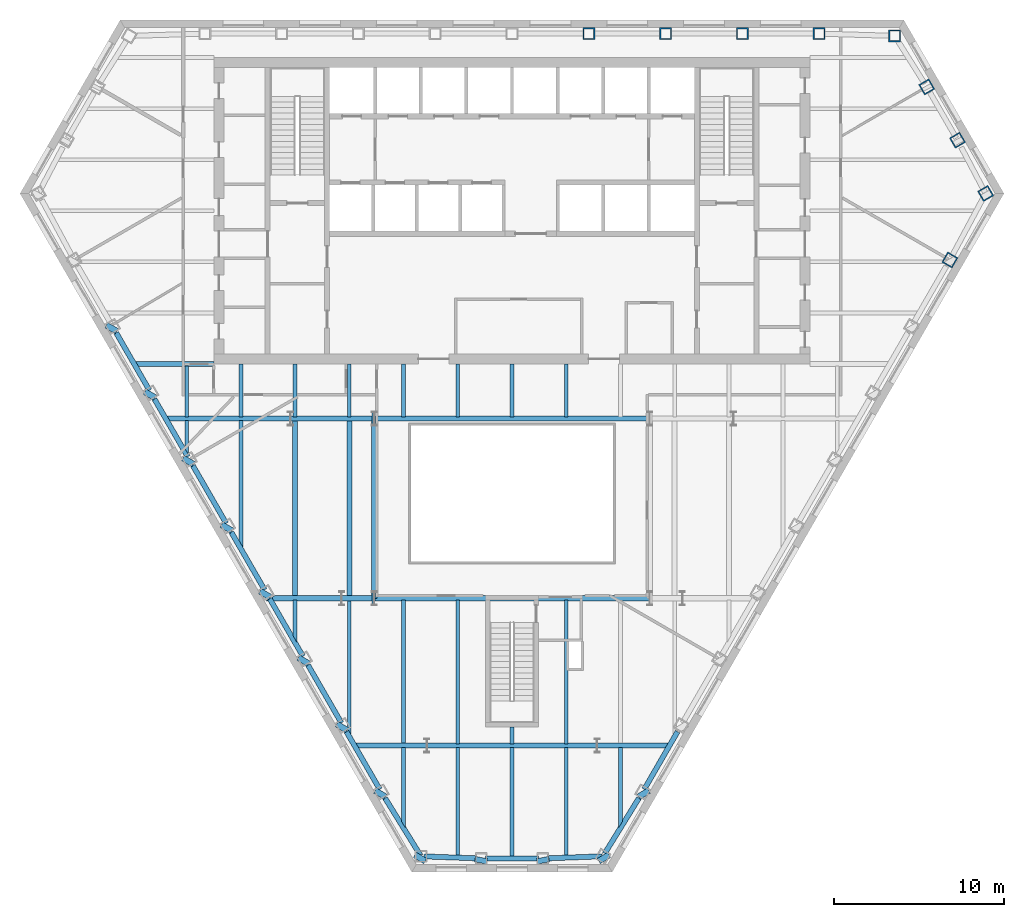
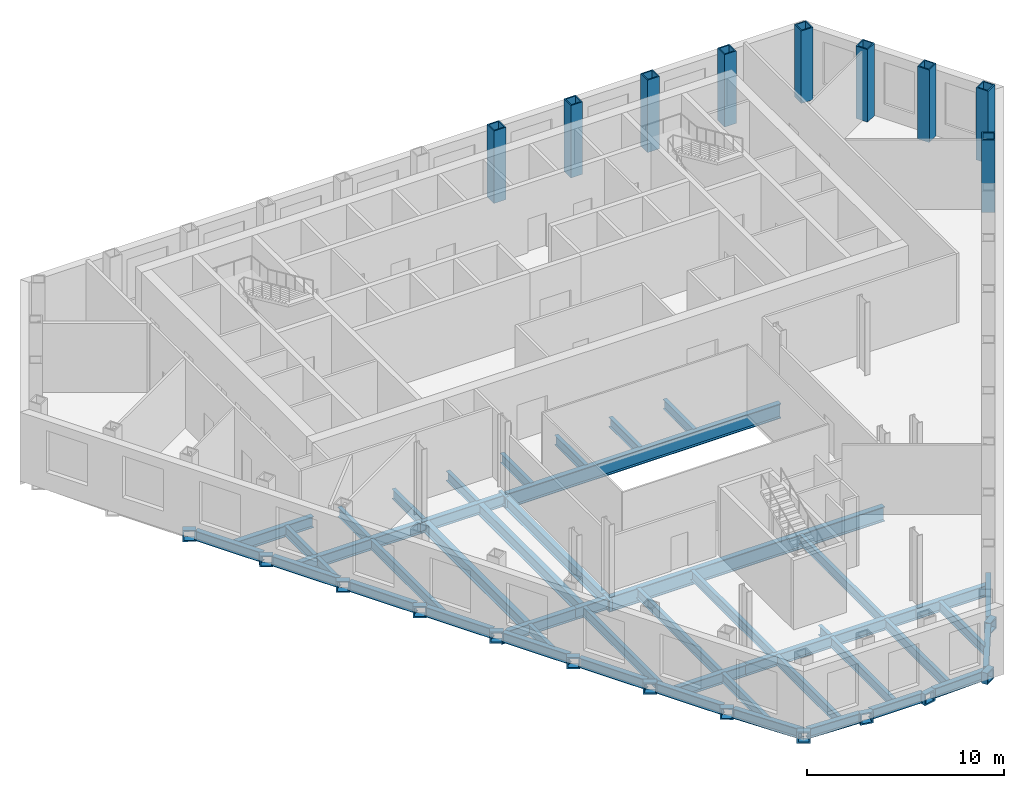
# One storey, part 2 of 11: 62 beams, 9 columns.
"""IFC4 building model written with IfcOpenShell, lengths in metres."""

from ifc_helpers import new_model, si_unit, direction, frame, origin, origin_2d, place, context, subcontext, project, spatial, hollow_rectangle, i_section, extrude, clip, halfspace, material, material_profile, profile_set, type_object, element, save


model = new_model("IFC4")

# Units and contexts
model_context = context("Model", 3, precision=1e-05, world=origin(), true_north=direction((0.0, 1.0)))
body_context = subcontext(model_context, "Body", "Model", "MODEL_VIEW")
ifc_project = project(units=[si_unit("LENGTHUNIT", "METRE"), si_unit("AREAUNIT", "SQUARE_METRE"), si_unit("VOLUMEUNIT", "CUBIC_METRE"), si_unit("PLANEANGLEUNIT", "RADIAN"), si_unit("MASSUNIT", "GRAM", prefix="KILO")], contexts=[model_context])

# Site, building, storey
site_placement = place(None, origin())
site = spatial("IfcSite", under=ifc_project, at=site_placement, CompositionType="ELEMENT")
building_placement = place(site_placement, origin())
building = spatial("IfcBuilding", under=site, at=building_placement, Name="Njiva Tower", CompositionType="ELEMENT")
storey_placement = place(building_placement, frame((0.0, 0.0, 33.3)))
storey = spatial("IfcBuildingStorey", under=building, at=storey_placement, Name="L06", CompositionType="ELEMENT", Elevation=33.3)

# Columns
ifc_material = material(Name="Steel S355 J2", Category="steel")
ifc_material_profile_1 = material_profile(ifc_material, hollow_rectangle(XDim=0.7, YDim=0.7, WallThickness=0.07, at=origin_2d()), Name="BOX 700x700x70")
ifc_profile_set_1 = profile_set([ifc_material_profile_1], Name="Steel S355 J2")
column_type = type_object("IfcColumnType", Name="C5 Perimeter tube column BOX 700x700x70", PredefinedType="COLUMN", material=ifc_profile_set_1)
for number, where, z_axis, x_axis, name in (
    (1, (22.466, 19.267, 0.0), (0.0, 0.0, 1.0), (-1.0, 0.0, 0.0), "Perimeter tube column S02-C01"),
    (2, (18.034, 19.4, 0.0), (0.0, 0.0, 1.0), (-1.0, 0.0, 0.0), "Perimeter tube column S02-C02"),
    (3, (13.526, 19.4, 0.0), (0.0, 0.0, 1.0), (-1.0, 0.0, 0.0), "Perimeter tube column S02-C03"),
    (4, (9.017, 19.4, 0.0), (0.0, 0.0, 1.0), (-1.0, 0.0, 0.0), "Perimeter tube column S02-C04"),
    (5, (4.509, 19.4, 0.0), (0.0, 0.0, 1.0), (-1.0, 0.0, 0.0), "Perimeter tube column S02-C05"),
    (6, (25.707, 6.111, 0.0), (0.0, 0.0, 1.0), (0.5, 0.866025403784, 0.0), "Perimeter tube column S02-C36"),
    (7, (27.808, 10.016, 0.0), (0.0, 0.0, 1.0), (-0.5, 0.866025403784, 0.0), "Perimeter tube column S02-C37"),
    (8, (26.155, 13.144, 0.0), (0.0, 0.0, 1.0), (-0.5, 0.866025403784, 0.0), "Perimeter tube column S02-C38"),
    (9, (24.349, 16.272, 0.0), (0.0, 0.0, 1.0), (-0.5, 0.866025403784, 0.0), "Perimeter tube column S02-C39"),
):
    element("IfcColumn", number, at=place(storey_placement, frame(where, z_axis=z_axis, x_axis=x_axis)), inside=storey, type_object=column_type, Name=name, PredefinedType="COLUMN", context=body_context, shape_type="SweptSolid", body=[
        extrude(hollow_rectangle(XDim=0.7, YDim=0.7, WallThickness=0.07, at=origin_2d()), origin(), (0.0, 0.0, 1.0), 4.5),
    ])

# Beams
ifc_material_profile_2 = material_profile(ifc_material, i_section(OverallWidth=0.3, OverallDepth=0.69, WebThickness=0.0145, FlangeThickness=0.027, at=origin_2d()), Name="HEA 700")
ifc_profile_set_2 = profile_set([ifc_material_profile_2], Name="Steel S355 J2")
beam_type_1 = type_object("IfcBeamType", Name="B12 Long-span floor joist HEA 700", PredefinedType="JOIST", material=ifc_profile_set_2)
for number, where, z_axis, x_axis, name in (
    (10, (-12.733, -3.3, -0.545), (0.0, -1.0, 0.0), (1.0, 0.0, 0.0), "Long-span floor joist S02-B068"),
    (11, (-9.55, -3.3, -0.545), (0.0, -1.0, 0.0), (1.0, 0.0, 0.0), "Long-span floor joist S02-B071"),
):
    element("IfcBeam", number, at=place(storey_placement, frame(where, z_axis=z_axis, x_axis=x_axis)), inside=storey, type_object=beam_type_1, Name=name, PredefinedType="JOIST", context=body_context, shape_type="SweptSolid", body=[
        extrude(i_section(OverallWidth=0.3, OverallDepth=0.69, WebThickness=0.0145, FlangeThickness=0.027, at=origin_2d()), origin(), (0.0, 0.0, 1.0), 10.35),
    ])
ifc_material_profile_3 = material_profile(ifc_material, i_section(OverallWidth=0.22, OverallDepth=0.6, WebThickness=0.012, FlangeThickness=0.019, at=origin_2d()), Name="IPE 600")
ifc_profile_set_3 = profile_set([ifc_material_profile_3], Name="Steel S355 J2")
beam_type_2 = type_object("IfcBeamType", Name="B13 Floor joist IPE 600", PredefinedType="JOIST", material=ifc_profile_set_3)
beam_1_placement = place(storey_placement, frame((-15.917, -3.3, -0.5), z_axis=(0.0, -1.0, 0.0), x_axis=(1.0, 0.0, 0.0)))
element("IfcBeam", 12, at=beam_1_placement, inside=storey, type_object=beam_type_2, Name="Floor joist S02-B065", PredefinedType="JOIST", context=body_context, shape_type="Clipping", body=[
    clip(extrude(i_section(OverallWidth=0.22, OverallDepth=0.6, WebThickness=0.012, FlangeThickness=0.019, at=origin_2d()), origin(), (0.0, 0.0, 1.0), 7.557), halfspace(frame((-0.043, 0.0, 7.2713), z_axis=(-0.866026552831, 0.0, 0.499998009787), x_axis=(0.0, 1.0, 0.0)), False)),
])
beam_2_placement = place(storey_placement, frame((-9.55, -13.85, -0.5), z_axis=(0.0, -1.0, 0.0), x_axis=(1.0, 0.0, 0.0)))
element("IfcBeam", 13, at=beam_2_placement, inside=storey, type_object=beam_type_2, Name="Floor joist S02-B070", PredefinedType="JOIST", context=body_context, shape_type="Clipping", body=[
    clip(extrude(i_section(OverallWidth=0.22, OverallDepth=0.6, WebThickness=0.012, FlangeThickness=0.019, at=origin_2d()), origin(), (0.0, 0.0, 1.0), 8.035), halfspace(frame((-0.0433, 0.0, 7.7487), z_axis=(-0.866026552831, 0.0, 0.499998009787), x_axis=(0.0, 1.0, 0.0)), False)),
])
beam_3_placement = place(storey_placement, frame((-6.367, -13.851, -0.5), z_axis=(0.0, -1.0, 0.0), x_axis=(1.0, 0.0, 0.0)))
element("IfcBeam", 14, at=beam_3_placement, inside=storey, type_object=beam_type_2, Name="Floor joist S02-B074", PredefinedType="JOIST", context=body_context, shape_type="SweptSolid", body=[
    extrude(i_section(OverallWidth=0.22, OverallDepth=0.6, WebThickness=0.012, FlangeThickness=0.019, at=origin_2d()), origin(), (0.0, 0.0, 1.0), 8.449),
])
beam_4_placement = place(storey_placement, frame((-6.367, -22.5, -0.5), z_axis=(0.0, -1.0, 0.0), x_axis=(1.0, 0.0, 0.0)))
element("IfcBeam", 15, at=beam_4_placement, inside=storey, type_object=beam_type_2, Name="Floor joist S02-B073", PredefinedType="JOIST", context=body_context, shape_type="Clipping", body=[
    clip(extrude(i_section(OverallWidth=0.22, OverallDepth=0.6, WebThickness=0.012, FlangeThickness=0.019, at=origin_2d()), origin(), (0.0, 0.0, 1.0), 4.746), halfspace(frame((-0.0422, 0.0, 4.4792), z_axis=(-0.850624900762, 0.0, 0.525773029171), x_axis=(0.0, 1.0, 0.0)), False)),
])
beam_5_placement = place(storey_placement, frame((-3.183, -13.851, -0.5), z_axis=(0.0, -1.0, 0.0), x_axis=(1.0, 0.0, 0.0)))
element("IfcBeam", 16, at=beam_5_placement, inside=storey, type_object=beam_type_2, Name="Floor joist S02-B077", PredefinedType="JOIST", context=body_context, shape_type="SweptSolid", body=[
    extrude(i_section(OverallWidth=0.22, OverallDepth=0.6, WebThickness=0.012, FlangeThickness=0.019, at=origin_2d()), origin(), (0.0, 0.0, 1.0), 8.449),
])
beam_6_placement = place(storey_placement, frame((-3.183, -22.5, -0.5), z_axis=(0.0, -1.0, 0.0), x_axis=(1.0, 0.0, 0.0)))
element("IfcBeam", 17, at=beam_6_placement, inside=storey, type_object=beam_type_2, Name="Floor joist S02-B076", PredefinedType="JOIST", context=body_context, shape_type="SweptSolid", body=[
    extrude(i_section(OverallWidth=0.22, OverallDepth=0.6, WebThickness=0.012, FlangeThickness=0.019, at=origin_2d()), origin(), (0.0, 0.0, 1.0), 6.375),
])
beam_7_placement = place(storey_placement, frame((0.0, -22.5, -0.5), z_axis=(0.0, -1.0, 0.0), x_axis=(1.0, 0.0, 0.0)))
element("IfcBeam", 18, at=beam_7_placement, inside=storey, type_object=beam_type_2, Name="Floor joist S02-B079", PredefinedType="JOIST", context=body_context, shape_type="SweptSolid", body=[
    extrude(i_section(OverallWidth=0.22, OverallDepth=0.6, WebThickness=0.012, FlangeThickness=0.019, at=origin_2d()), origin(), (0.0, 0.0, 1.0), 6.43),
])
beam_8_placement = place(storey_placement, frame((3.183, -13.851, -0.5), z_axis=(0.0, -1.0, 0.0), x_axis=(1.0, 0.0, 0.0)))
element("IfcBeam", 19, at=beam_8_placement, inside=storey, type_object=beam_type_2, Name="Floor joist S02-B083", PredefinedType="JOIST", context=body_context, shape_type="SweptSolid", body=[
    extrude(i_section(OverallWidth=0.22, OverallDepth=0.6, WebThickness=0.012, FlangeThickness=0.019, at=origin_2d()), origin(), (0.0, 0.0, 1.0), 8.449),
])
beam_9_placement = place(storey_placement, frame((3.183, -22.5, -0.5), z_axis=(0.0, -1.0, 0.0), x_axis=(1.0, 0.0, 0.0)))
element("IfcBeam", 20, at=beam_9_placement, inside=storey, type_object=beam_type_2, Name="Floor joist S02-B082", PredefinedType="JOIST", context=body_context, shape_type="SweptSolid", body=[
    extrude(i_section(OverallWidth=0.22, OverallDepth=0.6, WebThickness=0.012, FlangeThickness=0.019, at=origin_2d()), origin(), (0.0, 0.0, 1.0), 6.375),
])
beam_10_placement = place(storey_placement, frame((6.367, -22.5, -0.5), z_axis=(0.0, -1.0, 0.0), x_axis=(1.0, 0.0, 0.0)))
element("IfcBeam", 21, at=beam_10_placement, inside=storey, type_object=beam_type_2, Name="Floor joist S02-B085", PredefinedType="JOIST", context=body_context, shape_type="Clipping", body=[
    clip(extrude(i_section(OverallWidth=0.22, OverallDepth=0.6, WebThickness=0.012, FlangeThickness=0.019, at=origin_2d()), origin(), (0.0, 0.0, 1.0), 4.746), halfspace(frame((0.0422, 0.0, 4.4792), z_axis=(0.850624900762, 0.0, 0.525773029171), x_axis=(0.0, 1.0, 0.0)), False)),
])
ifc_material_profile_4 = material_profile(ifc_material, i_section(OverallWidth=0.22, OverallDepth=0.6, WebThickness=0.012, FlangeThickness=0.019, at=origin_2d()), Name="IPE 600")
ifc_profile_set_4 = profile_set([ifc_material_profile_4], Name="Steel S355 J2")
beam_type_3 = type_object("IfcBeamType", Name="B14 Short-span floor joist IPE 600", PredefinedType="JOIST", material=ifc_profile_set_4)
beam_11_placement = place(storey_placement, frame((-19.1, -0.1, -0.5), z_axis=(0.0, -1.0, 0.0), x_axis=(1.0, 0.0, 0.0)))
element("IfcBeam", 22, at=beam_11_placement, inside=storey, type_object=beam_type_3, Name="Short-span floor joist S02-B064", PredefinedType="JOIST", context=body_context, shape_type="SweptSolid", body=[
    extrude(i_section(OverallWidth=0.22, OverallDepth=0.6, WebThickness=0.012, FlangeThickness=0.019, at=origin_2d()), origin(), (0.0, 0.0, 1.0), 3.0),
])
beam_12_placement = place(storey_placement, frame((-19.1, -3.3, -0.5), z_axis=(0.0, -1.0, 0.0), x_axis=(1.0, 0.0, 0.0)))
element("IfcBeam", 23, at=beam_12_placement, inside=storey, type_object=beam_type_3, Name="Short-span floor joist S02-B063", PredefinedType="JOIST", context=body_context, shape_type="Clipping", body=[
    clip(extrude(i_section(OverallWidth=0.22, OverallDepth=0.6, WebThickness=0.012, FlangeThickness=0.019, at=origin_2d()), origin(), (0.0, 0.0, 1.0), 2.044), halfspace(frame((-0.0433, 0.0, 1.7576), z_axis=(-0.866026552831, 0.0, 0.499998009787), x_axis=(0.0, 1.0, 0.0)), False)),
])
for number, where, z_axis, x_axis, name in (
    (24, (-15.917, -0.005, -0.5), (0.0, -1.0, 0.0), (1.0, 0.0, 0.0), "Short-span floor joist S02-B066"),
    (25, (-12.733, -0.005, -0.5), (0.0, -1.0, 0.0), (1.0, 0.0, 0.0), "Short-span floor joist S02-B069"),
):
    element("IfcBeam", number, at=place(storey_placement, frame(where, z_axis=z_axis, x_axis=x_axis)), inside=storey, type_object=beam_type_3, Name=name, PredefinedType="JOIST", context=body_context, shape_type="SweptSolid", body=[
        extrude(i_section(OverallWidth=0.22, OverallDepth=0.6, WebThickness=0.012, FlangeThickness=0.019, at=origin_2d()), origin(), (0.0, 0.0, 1.0), 3.095),
    ])
beam_13_placement = place(storey_placement, frame((-12.733, -13.85, -0.5), z_axis=(0.0, -1.0, 0.0), x_axis=(1.0, 0.0, 0.0)))
element("IfcBeam", 26, at=beam_13_placement, inside=storey, type_object=beam_type_3, Name="Short-span floor joist S02-B067", PredefinedType="JOIST", context=body_context, shape_type="Clipping", body=[
    clip(extrude(i_section(OverallWidth=0.22, OverallDepth=0.6, WebThickness=0.012, FlangeThickness=0.019, at=origin_2d()), origin(), (0.0, 0.0, 1.0), 2.521), halfspace(frame((-0.0436, 0.0, 2.235), z_axis=(-0.866026552831, 0.0, 0.499998009787), x_axis=(0.0, 1.0, 0.0)), False)),
])
beam_14_placement = place(storey_placement, frame((-9.55, -0.005, -0.5), z_axis=(0.0, -1.0, 0.0), x_axis=(1.0, 0.0, 0.0)))
element("IfcBeam", 27, at=beam_14_placement, inside=storey, type_object=beam_type_3, Name="Short-span floor joist S02-B072", PredefinedType="JOIST", context=body_context, shape_type="SweptSolid", body=[
    extrude(i_section(OverallWidth=0.22, OverallDepth=0.6, WebThickness=0.012, FlangeThickness=0.019, at=origin_2d()), origin(), (0.0, 0.0, 1.0), 3.095),
])
for number, where, z_axis, x_axis, name in (
    (28, (-6.367, -0.005, -0.5), (0.0, -1.0, 0.0), (1.0, 0.0, 0.0), "Short-span floor joist S02-B075"),
    (29, (-3.183, -0.005, -0.5), (0.0, -1.0, 0.0), (1.0, 0.0, 0.0), "Short-span floor joist S02-B078"),
    (30, (0.0, -0.005, -0.5), (0.0, -1.0, 0.0), (1.0, 0.0, 0.0), "Short-span floor joist S02-B081"),
):
    element("IfcBeam", number, at=place(storey_placement, frame(where, z_axis=z_axis, x_axis=x_axis)), inside=storey, type_object=beam_type_3, Name=name, PredefinedType="JOIST", context=body_context, shape_type="SweptSolid", body=[
        extrude(i_section(OverallWidth=0.22, OverallDepth=0.6, WebThickness=0.012, FlangeThickness=0.019, at=origin_2d()), origin(), (0.0, 0.0, 1.0), 3.094),
    ])
beam_15_placement = place(storey_placement, frame((0.0, -21.3, -0.5), z_axis=(0.0, -1.0, 0.0), x_axis=(1.0, 0.0, 0.0)))
element("IfcBeam", 31, at=beam_15_placement, inside=storey, type_object=beam_type_3, Name="Short-span floor joist S02-B080", PredefinedType="JOIST", context=body_context, shape_type="SweptSolid", body=[
    extrude(i_section(OverallWidth=0.22, OverallDepth=0.6, WebThickness=0.012, FlangeThickness=0.019, at=origin_2d()), origin(), (0.0, 0.0, 1.0), 1.0),
])
beam_16_placement = place(storey_placement, frame((3.183, -0.005, -0.5), z_axis=(0.0, -1.0, 0.0), x_axis=(1.0, 0.0, 0.0)))
element("IfcBeam", 32, at=beam_16_placement, inside=storey, type_object=beam_type_3, Name="Short-span floor joist S02-B084", PredefinedType="JOIST", context=body_context, shape_type="SweptSolid", body=[
    extrude(i_section(OverallWidth=0.22, OverallDepth=0.6, WebThickness=0.012, FlangeThickness=0.019, at=origin_2d()), origin(), (0.0, 0.0, 1.0), 3.094),
])
ifc_material_profile_5 = material_profile(ifc_material, i_section(OverallWidth=0.3, OverallDepth=0.69, WebThickness=0.0145, FlangeThickness=0.027, at=origin_2d()), Name="HEA 700")
ifc_profile_set_5 = profile_set([ifc_material_profile_5], Name="Steel S355 J2")
beam_type_4 = type_object("IfcBeamType", Name="B15 Floor girder HEA 700", PredefinedType="BEAM", material=ifc_profile_set_5)
beam_17_placement = place(storey_placement, frame((-20.323, -3.2, -0.545), z_axis=(1.0, 0.0, 0.0), x_axis=(0.0, 1.0, 0.0)))
element("IfcBeam", 33, at=beam_17_placement, inside=storey, type_object=beam_type_4, Name="Floor girder S02-B016", PredefinedType="BEAM", context=body_context, shape_type="Clipping", body=[
    clip(extrude(i_section(OverallWidth=0.3, OverallDepth=0.69, WebThickness=0.0145, FlangeThickness=0.027, at=origin_2d()), origin(), (0.0, 0.0, 1.0), 7.323), halfspace(frame((-0.025, 0.0, 0.1217), z_axis=(-0.499998009787, 0.0, -0.866026552831), x_axis=(0.0, -1.0, 0.0)), False)),
])
beam_18_placement = place(storey_placement, frame((-13.0, -3.2, -0.545), z_axis=(1.0, 0.0, 0.0), x_axis=(0.0, 1.0, 0.0)))
element("IfcBeam", 34, at=beam_18_placement, inside=storey, type_object=beam_type_4, Name="Floor girder S02-B019", PredefinedType="BEAM", context=body_context, shape_type="SweptSolid", body=[
    extrude(i_section(OverallWidth=0.3, OverallDepth=0.69, WebThickness=0.0145, FlangeThickness=0.027, at=origin_2d()), origin(), (0.0, 0.0, 1.0), 4.91),
])
beam_19_placement = place(storey_placement, frame((-22.17, 0.0, -0.545), z_axis=(1.0, 0.0, 0.0), x_axis=(0.0, 1.0, 0.0)))
element("IfcBeam", 35, at=beam_19_placement, inside=storey, type_object=beam_type_4, Name="Floor girder S02-B015", PredefinedType="BEAM", context=body_context, shape_type="Clipping", body=[
    clip(extrude(i_section(OverallWidth=0.3, OverallDepth=0.69, WebThickness=0.0145, FlangeThickness=0.027, at=origin_2d()), origin(), (0.0, 0.0, 1.0), 4.67), halfspace(frame((-0.025, 0.0, 0.1211), z_axis=(-0.499998009787, 0.0, -0.866026552831), x_axis=(0.0, -1.0, 0.0)), False)),
])
ifc_material_profile_6 = material_profile(ifc_material, i_section(OverallWidth=0.3, OverallDepth=0.69, WebThickness=0.0145, FlangeThickness=0.027, at=origin_2d()), Name="HEA 700")
ifc_profile_set_6 = profile_set([ifc_material_profile_6], Name="Steel S355 J2")
beam_type_5 = type_object("IfcBeamType", Name="B16 Short-span floor girder HEA 700", PredefinedType="BEAM", material=ifc_profile_set_6)
beam_20_placement = place(storey_placement, frame((-14.467, -13.75, -0.545), z_axis=(1.0, 0.0, 0.0), x_axis=(0.0, 1.0, 0.0)))
element("IfcBeam", 36, at=beam_20_placement, inside=storey, type_object=beam_type_5, Name="Short-span floor girder S02-B017", PredefinedType="BEAM", context=body_context, shape_type="Clipping", body=[
    clip(extrude(i_section(OverallWidth=0.3, OverallDepth=0.69, WebThickness=0.0145, FlangeThickness=0.027, at=origin_2d()), origin(), (0.0, 0.0, 1.0), 4.467), halfspace(frame((0.0433, 0.0, 0.3552), z_axis=(0.866026552831, 0.0, -0.499998009787), x_axis=(0.0, -1.0, 0.0)), False)),
])
beam_21_placement = place(storey_placement, frame((-10.0, -13.75, -0.545), z_axis=(1.0, 0.0, 0.0), x_axis=(0.0, 1.0, 0.0)))
element("IfcBeam", 37, at=beam_21_placement, inside=storey, type_object=beam_type_5, Name="Short-span floor girder S02-B020", PredefinedType="BEAM", context=body_context, shape_type="SweptSolid", body=[
    extrude(i_section(OverallWidth=0.3, OverallDepth=0.69, WebThickness=0.0145, FlangeThickness=0.027, at=origin_2d()), origin(), (0.0, 0.0, 1.0), 1.91),
])
beam_22_placement = place(storey_placement, frame((-9.238, -22.4, -0.545), z_axis=(1.0, 0.0, 0.0), x_axis=(0.0, 1.0, 0.0)))
element("IfcBeam", 38, at=beam_22_placement, inside=storey, type_object=beam_type_5, Name="Short-span floor girder S02-B021", PredefinedType="BEAM", context=body_context, shape_type="Clipping", body=[
    clip(extrude(i_section(OverallWidth=0.3, OverallDepth=0.69, WebThickness=0.0145, FlangeThickness=0.027, at=origin_2d()), origin(), (0.0, 0.0, 1.0), 4.238), halfspace(frame((-0.025, 0.0, 0.1218), z_axis=(-0.499998009787, 0.0, -0.866026552831), x_axis=(0.0, -1.0, 0.0)), False)),
])
beam_23_placement = place(storey_placement, frame((5.0, -22.4, -0.545), z_axis=(1.0, 0.0, 0.0), x_axis=(0.0, 1.0, 0.0)))
element("IfcBeam", 39, at=beam_23_placement, inside=storey, type_object=beam_type_5, Name="Short-span floor girder S02-B023", PredefinedType="BEAM", context=body_context, shape_type="Clipping", body=[
    clip(extrude(i_section(OverallWidth=0.3, OverallDepth=0.69, WebThickness=0.0145, FlangeThickness=0.027, at=origin_2d()), origin(), (0.0, 0.0, 1.0), 4.238), halfspace(frame((-0.025, 0.0, 4.1162), z_axis=(-0.499998009787, 0.0, 0.866026552831), x_axis=(0.0, 1.0, 0.0)), False)),
])
ifc_material_profile_7 = material_profile(ifc_material, i_section(OverallWidth=0.3, OverallDepth=0.69, WebThickness=0.0145, FlangeThickness=0.027, at=origin_2d()), Name="HEA 700")
ifc_profile_set_7 = profile_set([ifc_material_profile_7], Name="Steel S355 J2")
beam_type_6 = type_object("IfcBeamType", Name="B17 Long-span floor girder HEA 700", PredefinedType="BEAM", material=ifc_profile_set_7)
beam_24_placement = place(storey_placement, frame((-5.0, -22.4, -0.545), z_axis=(1.0, 0.0, 0.0), x_axis=(0.0, 1.0, 0.0)))
element("IfcBeam", 40, at=beam_24_placement, inside=storey, type_object=beam_type_6, Name="Long-span floor girder S02-B022", PredefinedType="BEAM", context=body_context, shape_type="SweptSolid", body=[
    extrude(i_section(OverallWidth=0.3, OverallDepth=0.69, WebThickness=0.0145, FlangeThickness=0.027, at=origin_2d()), origin(), (0.0, 0.0, 1.0), 10.0),
])
ifc_material_profile_8 = material_profile(ifc_material, i_section(OverallWidth=0.3, OverallDepth=0.69, WebThickness=0.0145, FlangeThickness=0.027, at=origin_2d()), Name="HEA 700")
ifc_profile_set_8 = profile_set([ifc_material_profile_8], Name="Steel S355 J2")
beam_type_7 = type_object("IfcBeamType", Name="B18 Long-span atrium trimmer beam HEA 700", PredefinedType="BEAM", material=ifc_profile_set_8)
beam_25_placement = place(storey_placement, frame((-8.09, -3.2, -0.545), z_axis=(0.0, -1.0, 0.0), x_axis=(1.0, 0.0, 0.0)))
element("IfcBeam", 41, at=beam_25_placement, inside=storey, type_object=beam_type_7, Name="Long-span atrium trimmer beam S02-B099", PredefinedType="BEAM", context=body_context, shape_type="SweptSolid", body=[
    extrude(i_section(OverallWidth=0.3, OverallDepth=0.69, WebThickness=0.0145, FlangeThickness=0.027, at=origin_2d()), origin(), (0.0, 0.0, 1.0), 10.55),
])
ifc_material_profile_9 = material_profile(ifc_material, hollow_rectangle(XDim=0.7, YDim=0.7, WallThickness=0.08, at=origin_2d()), Name="BOX 700x700x80")
ifc_profile_set_9 = profile_set([ifc_material_profile_9], Name="Steel S355 J2")
beam_type_8 = type_object("IfcBeamType", Name="B19 Column jog beam BOX 700x700x80", PredefinedType="BEAM", material=ifc_profile_set_9)
beam_26_placement = place(storey_placement, frame((-23.598, 1.948, -0.55), z_axis=(0.489459706802, 0.872025914418, 0.0), x_axis=(-0.872025914418, 0.489459706802, 0.0)))
element("IfcBeam", 42, at=beam_26_placement, inside=storey, type_object=beam_type_8, Name="Column jog beam S02-B034", PredefinedType="BEAM", context=body_context, shape_type="SweptSolid", body=[
    extrude(hollow_rectangle(XDim=0.7, YDim=0.7, WallThickness=0.08, at=origin_2d()), origin(), (0.0, 0.0, 1.0), 0.3555),
])
beam_27_placement = place(storey_placement, frame((-21.345, -1.955, -0.55), z_axis=(0.497045922111, 0.867724236905, 0.0), x_axis=(-0.867724236905, 0.497045922111, 0.0)))
element("IfcBeam", 43, at=beam_27_placement, inside=storey, type_object=beam_type_8, Name="Column jog beam S02-B035", PredefinedType="BEAM", context=body_context, shape_type="SweptSolid", body=[
    extrude(hollow_rectangle(XDim=0.7, YDim=0.7, WallThickness=0.08, at=origin_2d()), origin(), (0.0, 0.0, 1.0), 0.3561),
])
for number, where, z_axis, x_axis, name in (
    (44, (-19.091, -5.859, -0.55), (0.498259552762, 0.86702792232, 0.0), (-0.86702792232, 0.498259552762, 0.0), "Column jog beam S02-B036"),
    (45, (-16.837, -9.763, -0.55), (0.498259552762, 0.86702792232, 0.0), (-0.86702792232, 0.498259552762, 0.0), "Column jog beam S02-B037"),
):
    element("IfcBeam", number, at=place(storey_placement, frame(where, z_axis=z_axis, x_axis=x_axis)), inside=storey, type_object=beam_type_8, Name=name, PredefinedType="BEAM", context=body_context, shape_type="SweptSolid", body=[
        extrude(hollow_rectangle(XDim=0.7, YDim=0.7, WallThickness=0.08, at=origin_2d()), origin(), (0.0, 0.0, 1.0), 0.3552),
    ])
beam_28_placement = place(storey_placement, frame((-14.583, -13.667, -0.55), z_axis=(0.501591568535, 0.865104559215, 0.0), x_axis=(-0.865104559215, 0.501591568535, 0.0)))
element("IfcBeam", 46, at=beam_28_placement, inside=storey, type_object=beam_type_8, Name="Column jog beam S02-B038", PredefinedType="BEAM", context=body_context, shape_type="SweptSolid", body=[
    extrude(hollow_rectangle(XDim=0.7, YDim=0.7, WallThickness=0.08, at=origin_2d()), origin(), (0.0, 0.0, 1.0), 0.3549),
])
for number, where, z_axis, x_axis, name in (
    (47, (-12.331, -17.57, -0.55), (0.510343304635, 0.859970761953, 0.0), (-0.859970761953, 0.510343304635, 0.0), "Column jog beam S02-B039"),
    (48, (-10.077, -21.474, -0.55), (0.510343304635, 0.859970761953, 0.0), (-0.859970761953, 0.510343304635, 0.0), "Column jog beam S02-B040"),
):
    element("IfcBeam", number, at=place(storey_placement, frame(where, z_axis=z_axis, x_axis=x_axis)), inside=storey, type_object=beam_type_8, Name=name, PredefinedType="BEAM", context=body_context, shape_type="SweptSolid", body=[
        extrude(hollow_rectangle(XDim=0.7, YDim=0.7, WallThickness=0.08, at=origin_2d()), origin(), (0.0, 0.0, 1.0), 0.3547),
    ])
beam_29_placement = place(storey_placement, frame((-7.823, -25.377, -0.55), z_axis=(0.516163052747, 0.856490340272, 0.0), x_axis=(-0.856490340272, 0.516163052747, 0.0)))
element("IfcBeam", 49, at=beam_29_placement, inside=storey, type_object=beam_type_8, Name="Column jog beam S02-B043", PredefinedType="BEAM", context=body_context, shape_type="SweptSolid", body=[
    extrude(hollow_rectangle(XDim=0.7, YDim=0.7, WallThickness=0.08, at=origin_2d()), origin(), (0.0, 0.0, 1.0), 0.3526),
])
beam_30_placement = place(storey_placement, frame((-5.492, -29.147, -0.55), z_axis=(0.517419338909, 0.855731983581, 0.0), x_axis=(-0.855731983581, 0.517419338909, 0.0)))
element("IfcBeam", 50, at=beam_30_placement, inside=storey, type_object=beam_type_8, Name="Column jog beam S02-B044", PredefinedType="BEAM", context=body_context, shape_type="SweptSolid", body=[
    extrude(hollow_rectangle(XDim=0.7, YDim=0.7, WallThickness=0.08, at=origin_2d()), origin(), (0.0, 0.0, 1.0), 0.3517),
])
for number, where, z_axis, x_axis, name in (
    (51, (-1.858, -29.288, -0.55), (0.197899762775, 0.980222262496, 0.0), (-0.980222262496, 0.197899762775, 0.0), "Column jog beam S02-B045"),
    (52, (1.858, -29.288, -0.55), (-0.197899762775, 0.980222262496, 0.0), (-0.980222262496, -0.197899762775, 0.0), "Column jog beam S02-B046"),
):
    element("IfcBeam", number, at=place(storey_placement, frame(where, z_axis=z_axis, x_axis=x_axis)), inside=storey, type_object=beam_type_8, Name=name, PredefinedType="BEAM", context=body_context, shape_type="SweptSolid", body=[
        extrude(hollow_rectangle(XDim=0.7, YDim=0.7, WallThickness=0.08, at=origin_2d()), origin(), (0.0, 0.0, 1.0), 0.3234),
    ])
beam_31_placement = place(storey_placement, frame((5.492, -29.147, -0.55), z_axis=(-0.517419338909, 0.855731983581, 0.0), x_axis=(-0.855731983581, -0.517419338909, 0.0)))
element("IfcBeam", 53, at=beam_31_placement, inside=storey, type_object=beam_type_8, Name="Column jog beam S02-B047", PredefinedType="BEAM", context=body_context, shape_type="SweptSolid", body=[
    extrude(hollow_rectangle(XDim=0.7, YDim=0.7, WallThickness=0.08, at=origin_2d()), origin(), (0.0, 0.0, 1.0), 0.3517),
])
beam_32_placement = place(storey_placement, frame((7.823, -25.377, -0.55), z_axis=(-0.516163052747, 0.856490340272, 0.0), x_axis=(-0.856490340272, -0.516163052747, 0.0)))
element("IfcBeam", 54, at=beam_32_placement, inside=storey, type_object=beam_type_8, Name="Column jog beam S02-B048", PredefinedType="BEAM", context=body_context, shape_type="SweptSolid", body=[
    extrude(hollow_rectangle(XDim=0.7, YDim=0.7, WallThickness=0.08, at=origin_2d()), origin(), (0.0, 0.0, 1.0), 0.3526),
])
for number, where, z_axis, x_axis, name in (
    (55, (-8.21, -3.2, -0.55), (1.0, 0.0, 0.0), (0.0, 1.0, 0.0), "Column jog beam S02-B042"),
    (56, (-8.21, -13.75, -0.55), (1.0, 0.0, 0.0), (0.0, 1.0, 0.0), "Column jog beam S02-B041"),
):
    element("IfcBeam", number, at=place(storey_placement, frame(where, z_axis=z_axis, x_axis=x_axis)), inside=storey, type_object=beam_type_8, Name=name, PredefinedType="BEAM", context=body_context, shape_type="SweptSolid", body=[
        extrude(hollow_rectangle(XDim=0.7, YDim=0.7, WallThickness=0.08, at=origin_2d()), origin(), (0.0, 0.0, 1.0), 0.18),
    ])
ifc_material_profile_10 = material_profile(ifc_material, i_section(OverallWidth=0.3, OverallDepth=0.6, WebThickness=0.0155, FlangeThickness=0.03, at=origin_2d()), Name="HEB 600")
ifc_profile_set_10 = profile_set([ifc_material_profile_10], Name="Steel S355 J2")
beam_type_9 = type_object("IfcBeamType", Name="B3 Short-span spandrel beam HEB 600", PredefinedType="SPANDREL", material=ifc_profile_set_10)
beam_33_placement = place(storey_placement, frame((-23.242, 1.842, -0.5), z_axis=(0.499966215292, -0.866044908516, 0.0), x_axis=(0.866044908516, 0.499966215292, 0.0)))
element("IfcBeam", 57, at=beam_33_placement, inside=storey, type_object=beam_type_9, Name="Short-span spandrel beam S02-B116", PredefinedType="SPANDREL", context=body_context, shape_type="SweptSolid", body=[
    extrude(i_section(OverallWidth=0.3, OverallDepth=0.6, WebThickness=0.0155, FlangeThickness=0.03, at=origin_2d()), origin(), (0.0, 0.0, 1.0), 3.9063),
])
beam_34_placement = place(storey_placement, frame((-20.989, -2.061, -0.5), z_axis=(0.500047346826, -0.865998066356, 0.0), x_axis=(0.865998066356, 0.500047346826, 0.0)))
element("IfcBeam", 58, at=beam_34_placement, inside=storey, type_object=beam_type_9, Name="Short-span spandrel beam S02-B120", PredefinedType="SPANDREL", context=body_context, shape_type="SweptSolid", body=[
    extrude(i_section(OverallWidth=0.3, OverallDepth=0.6, WebThickness=0.0155, FlangeThickness=0.03, at=origin_2d()), origin(), (0.0, 0.0, 1.0), 3.9076),
])
for number, where, z_axis, x_axis, name in (
    (59, (-18.735, -5.965, -0.5), (0.499936548189, -0.866062034606, 0.0), (0.866062034606, 0.499936548189, 0.0), "Short-span spandrel beam S02-B122"),
    (60, (-16.481, -9.869, -0.5), (0.499936548189, -0.866062034606, 0.0), (0.866062034606, 0.499936548189, 0.0), "Short-span spandrel beam S02-B126"),
):
    element("IfcBeam", number, at=place(storey_placement, frame(where, z_axis=z_axis, x_axis=x_axis)), inside=storey, type_object=beam_type_9, Name=name, PredefinedType="SPANDREL", context=body_context, shape_type="SweptSolid", body=[
        extrude(i_section(OverallWidth=0.3, OverallDepth=0.6, WebThickness=0.0155, FlangeThickness=0.03, at=origin_2d()), origin(), (0.0, 0.0, 1.0), 3.9085),
    ])
beam_35_placement = place(storey_placement, frame((-14.227, -13.773, -0.5), z_axis=(0.499966215292, -0.866044908516, 0.0), x_axis=(0.866044908516, 0.499966215292, 0.0)))
element("IfcBeam", 61, at=beam_35_placement, inside=storey, type_object=beam_type_9, Name="Short-span spandrel beam S02-B128", PredefinedType="SPANDREL", context=body_context, shape_type="SweptSolid", body=[
    extrude(i_section(OverallWidth=0.3, OverallDepth=0.6, WebThickness=0.0155, FlangeThickness=0.03, at=origin_2d()), origin(), (0.0, 0.0, 1.0), 3.9063),
])
for number, where, z_axis, x_axis, name in (
    (62, (-11.974, -17.676, -0.5), (0.500047346826, -0.865998066356, 0.0), (0.865998066356, 0.500047346826, 0.0), "Short-span spandrel beam S02-B132"),
    (63, (-9.72, -21.58, -0.5), (0.500047346826, -0.865998066356, 0.0), (0.865998066356, 0.500047346826, 0.0), "Short-span spandrel beam S02-B134"),
):
    element("IfcBeam", number, at=place(storey_placement, frame(where, z_axis=z_axis, x_axis=x_axis)), inside=storey, type_object=beam_type_9, Name=name, PredefinedType="SPANDREL", context=body_context, shape_type="SweptSolid", body=[
        extrude(i_section(OverallWidth=0.3, OverallDepth=0.6, WebThickness=0.0155, FlangeThickness=0.03, at=origin_2d()), origin(), (0.0, 0.0, 1.0), 3.9076),
    ])
beam_36_placement = place(storey_placement, frame((-7.453, -25.48, -0.5), z_axis=(0.525656724401, -0.850696777996, 0.0), x_axis=(0.850696777996, 0.525656724401, 0.0)))
element("IfcBeam", 64, at=beam_36_placement, inside=storey, type_object=beam_type_9, Name="Short-span spandrel beam S02-B137", PredefinedType="SPANDREL", context=body_context, shape_type="Clipping", body=[
    clip(extrude(i_section(OverallWidth=0.3, OverallDepth=0.6, WebThickness=0.0155, FlangeThickness=0.03, at=origin_2d()), origin(), (0.0, 0.0, 1.0), 4.011), halfspace(frame((-0.0261, 0.0, 3.8818), z_axis=(-0.525656724401, 0.0, 0.850696777996), x_axis=(0.0, 1.0, 0.0)), False)),
])
beam_37_placement = place(storey_placement, frame((-5.156, -28.904, -0.5), z_axis=(0.999294188136, -0.037564951184, 0.0), x_axis=(0.037564951184, 0.999294188136, 0.0)))
element("IfcBeam", 65, at=beam_37_placement, inside=storey, type_object=beam_type_9, Name="Short-span spandrel beam S02-B138", PredefinedType="SPANDREL", context=body_context, shape_type="SweptSolid", body=[
    extrude(i_section(OverallWidth=0.3, OverallDepth=0.6, WebThickness=0.0155, FlangeThickness=0.03, at=origin_2d()), origin(), (0.0, 0.0, 1.0), 3.0081),
])
beam_38_placement = place(storey_placement, frame((-1.546, -29.03, -0.5), z_axis=(1.0, 0.0, 0.0), x_axis=(0.0, 1.0, 0.0)))
element("IfcBeam", 66, at=beam_38_placement, inside=storey, type_object=beam_type_9, Name="Short-span spandrel beam S02-B141", PredefinedType="SPANDREL", context=body_context, shape_type="SweptSolid", body=[
    extrude(i_section(OverallWidth=0.3, OverallDepth=0.6, WebThickness=0.0155, FlangeThickness=0.03, at=origin_2d()), origin(), (0.0, 0.0, 1.0), 3.092),
])
beam_39_placement = place(storey_placement, frame((2.15, -29.017, -0.5), z_axis=(0.999290147084, 0.037672296738, 0.0), x_axis=(-0.037672296738, 0.999290147084, 0.0)))
element("IfcBeam", 67, at=beam_39_placement, inside=storey, type_object=beam_type_9, Name="Short-span spandrel beam S02-B145", PredefinedType="SPANDREL", context=body_context, shape_type="Clipping", body=[
    clip(extrude(i_section(OverallWidth=0.3, OverallDepth=0.6, WebThickness=0.0155, FlangeThickness=0.03, at=origin_2d()), origin(), (0.0, 0.0, 1.0), 3.1932), halfspace(frame((-0.0271, 0.0, 3.0624), z_axis=(-0.532268294022, 0.0, 0.846575727964), x_axis=(0.0, 1.0, 0.0)), False)),
])
beam_40_placement = place(storey_placement, frame((5.442, -28.734, -0.5), z_axis=(0.525715487097, 0.850660464949, 0.0), x_axis=(-0.850660464949, 0.525715487097, 0.0)))
element("IfcBeam", 68, at=beam_40_placement, inside=storey, type_object=beam_type_9, Name="Short-span spandrel beam S02-B147", PredefinedType="SPANDREL", context=body_context, shape_type="SweptSolid", body=[
    extrude(i_section(OverallWidth=0.3, OverallDepth=0.6, WebThickness=0.0155, FlangeThickness=0.03, at=origin_2d()), origin(), (0.0, 0.0, 1.0), 3.8253),
])
beam_41_placement = place(storey_placement, frame((7.766, -24.964, -0.5), z_axis=(0.500047346826, 0.865998066356, 0.0), x_axis=(-0.865998066356, 0.500047346826, 0.0)))
element("IfcBeam", 69, at=beam_41_placement, inside=storey, type_object=beam_type_9, Name="Short-span spandrel beam S02-B149", PredefinedType="SPANDREL", context=body_context, shape_type="SweptSolid", body=[
    extrude(i_section(OverallWidth=0.3, OverallDepth=0.6, WebThickness=0.0155, FlangeThickness=0.03, at=origin_2d()), origin(), (0.0, 0.0, 1.0), 3.9076),
])
ifc_material_profile_11 = material_profile(ifc_material, i_section(OverallWidth=0.302, OverallDepth=0.91, WebThickness=0.021, FlangeThickness=0.04, at=origin_2d()), Name="HEM 900")
ifc_profile_set_11 = profile_set([ifc_material_profile_11], Name="Steel S355 J2")
beam_type_10 = type_object("IfcBeamType", Name="B8 Long-span atrium trimmer beam HEM 900", PredefinedType="BEAM", material=ifc_profile_set_11)
for number, where, z_axis, x_axis, name in (
    (70, (-8.09, -13.75, -0.655), (1.0, 0.0, 0.0), (0.0, 1.0, 0.0), "Long-span atrium trimmer beam S02-B100"),
    (71, (8.09, -3.2, -0.655), (-1.0, 0.0, 0.0), (0.0, -1.0, 0.0), "Long-span atrium trimmer beam S02-B102"),
):
    element("IfcBeam", number, at=place(storey_placement, frame(where, z_axis=z_axis, x_axis=x_axis)), inside=storey, type_object=beam_type_10, Name=name, PredefinedType="BEAM", context=body_context, shape_type="SweptSolid", body=[
        extrude(i_section(OverallWidth=0.302, OverallDepth=0.91, WebThickness=0.021, FlangeThickness=0.04, at=origin_2d()), origin(), (0.0, 0.0, 1.0), 16.18),
    ])

save(model, "model.ifc")
